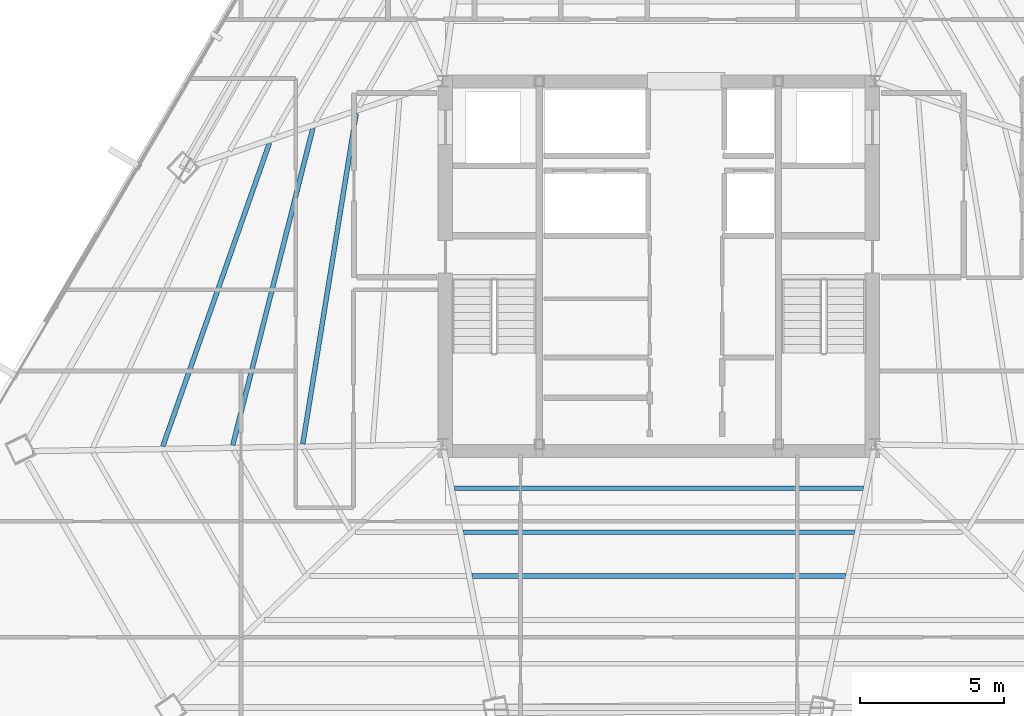
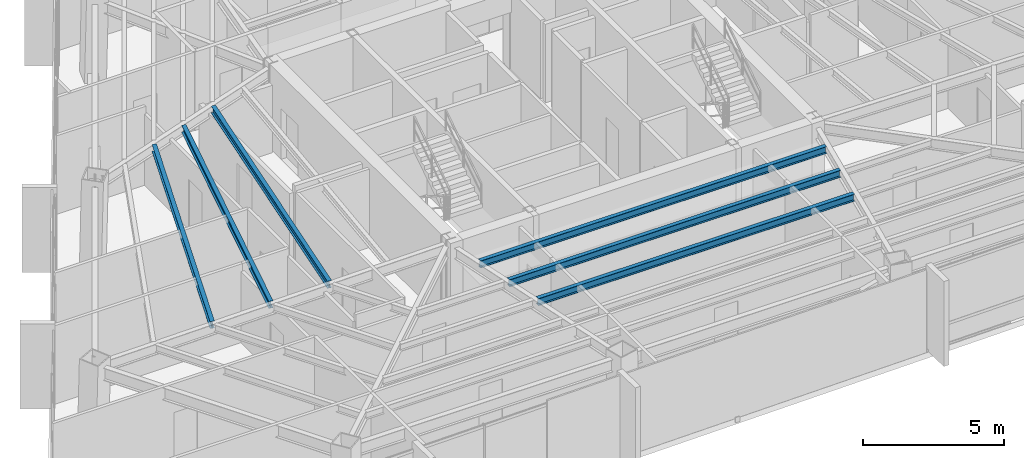
# One storey, part 14 of 44: 6 beams.
"""IFC4 building model written with IfcOpenShell, lengths in metres."""

from ifc_helpers import new_model, si_unit, direction, frame, origin, origin_2d, place, context, subcontext, project, spatial, i_section, extrude, source, transform, mapped, material, material_profile, profile_set, type_object, type_shapes, element, save


model = new_model("IFC4")

# Units and contexts
model_context = context("Model", 3, precision=1e-05, world=origin(), true_north=direction((0.0, 1.0)))
body_context = subcontext(model_context, "Body", "Model", "MODEL_VIEW")
ifc_project = project(units=[si_unit("LENGTHUNIT", "METRE"), si_unit("AREAUNIT", "SQUARE_METRE"), si_unit("VOLUMEUNIT", "CUBIC_METRE"), si_unit("PLANEANGLEUNIT", "RADIAN"), si_unit("MASSUNIT", "GRAM", prefix="KILO")], contexts=[model_context])

# Site, building, storey
site_placement = place(None, origin())
site = spatial("IfcSite", under=ifc_project, at=site_placement, CompositionType="ELEMENT")
building_placement = place(site_placement, origin())
building = spatial("IfcBuilding", under=site, at=building_placement, Name="Caelisora Broadcast Tower", CompositionType="ELEMENT")
storey_placement = place(building_placement, frame((0.0, 0.0, 198.64990234375)))
storey = spatial("IfcBuildingStorey", under=building, at=storey_placement, Name="L52", CompositionType="ELEMENT", Elevation=198.64990234375)

# Beams
ifc_material = material(Name="Steel Grade 350 (AS/NZS 3679.1)", Category="steel")
ifc_material_profile = material_profile(ifc_material, i_section(OverallWidth=0.166015625, OverallDepth=0.30712890625, WebThickness=0.006591796875, FlangeThickness=0.01171875, at=origin_2d()), Name="Steel Grade 350 (AS/NZS 3679.1)")
ifc_profile_set = profile_set([ifc_material_profile], Name="Steel Grade 350 (AS/NZS 3679.1)")
beam_type = type_object("IfcBeamType", Name="SB03", PredefinedType="JOIST", material=ifc_profile_set)
shared_shape_1 = source(origin(), body_context, "Body", "SweptSolid", [
    extrude(i_section(OverallWidth=0.166015625, OverallDepth=0.30712890625, WebThickness=0.006591796875, FlangeThickness=0.01171875, at=origin_2d()), origin(), (0.0, 0.0, 1.0), 11.62158203125),
])
beam_1_placement = place(storey_placement, frame((27.49609375, 28.88525390625, 3.24658203125), z_axis=(-0.159678909006, -0.987169005803, 0.0), x_axis=(0.987169005803, -0.159678909006, 0.0)))
element("IfcBeam", 1, at=beam_1_placement, inside=storey, type_object=beam_type, Name="L52 beam SB03", PredefinedType="JOIST", context=body_context, shape_type="MappedRepresentation", body=[
    mapped(shared_shape_1, transform((0.0, 0.0, 0.0), scale=1.0)),
])
shared_shape_2 = source(origin(), body_context, "Body", "SweptSolid", [
    extrude(i_section(OverallWidth=0.166015625, OverallDepth=0.30712890625, WebThickness=0.006591796875, FlangeThickness=0.01171875, at=origin_2d()), origin(), (0.0, 0.0, 1.0), 11.348876953125),
])
beam_2_placement = place(storey_placement, frame((25.991943359375, 28.3759765625, 3.24658203125), z_axis=(-0.244984749811, -0.969526932251, 0.0), x_axis=(0.969526932251, -0.244984749811, 0.0)))
element("IfcBeam", 2, at=beam_2_placement, inside=storey, type_object=beam_type, Name="L52 beam SB03", PredefinedType="JOIST", context=body_context, shape_type="MappedRepresentation", body=[
    mapped(shared_shape_2, transform((0.0, 0.0, 0.0), scale=1.0)),
])
shared_shape_3 = source(origin(), body_context, "Body", "SweptSolid", [
    extrude(i_section(OverallWidth=0.166015625, OverallDepth=0.30712890625, WebThickness=0.006591796875, FlangeThickness=0.01171875, at=origin_2d()), origin(), (0.0, 0.0, 1.0), 11.164794921875),
])
beam_3_placement = place(storey_placement, frame((24.486083984375, 27.8662109375, 3.24658203125), z_axis=(-0.331615403366, -0.94341466188, 0.0), x_axis=(0.94341466188, -0.331615403366, 0.0)))
element("IfcBeam", 3, at=beam_3_placement, inside=storey, type_object=beam_type, Name="L52 beam SB03", PredefinedType="JOIST", context=body_context, shape_type="MappedRepresentation", body=[
    mapped(shared_shape_3, transform((0.0, 0.0, 0.0), scale=1.0)),
])
shared_shape_4 = source(origin(), body_context, "Body", "SweptSolid", [
    extrude(i_section(OverallWidth=0.166015625, OverallDepth=0.30712890625, WebThickness=0.006591796875, FlangeThickness=0.01171875, at=origin_2d()), origin(), (0.0, 0.0, 1.0), 14.1982421875),
])
beam_4_placement = place(storey_placement, frame((30.90087890625, 15.876708984375, 3.24658203125), z_axis=(1.0, 0.0, 0.0), x_axis=(0.0, 1.0, 0.0)))
element("IfcBeam", 4, at=beam_4_placement, inside=storey, type_object=beam_type, Name="L52 beam SB03", PredefinedType="JOIST", context=body_context, shape_type="MappedRepresentation", body=[
    mapped(shared_shape_4, transform((0.0, 0.0, 0.0), scale=1.0)),
])
shared_shape_5 = source(origin(), body_context, "Body", "SweptSolid", [
    extrude(i_section(OverallWidth=0.166015625, OverallDepth=0.30712890625, WebThickness=0.006591796875, FlangeThickness=0.01171875, at=origin_2d()), origin(), (0.0, 0.0, 1.0), 13.58544921875),
])
beam_5_placement = place(storey_placement, frame((31.207275390625, 14.353515625, 3.24658203125), z_axis=(1.0, 0.0, 0.0), x_axis=(0.0, 1.0, 0.0)))
element("IfcBeam", 5, at=beam_5_placement, inside=storey, type_object=beam_type, Name="L52 beam SB03", PredefinedType="JOIST", context=body_context, shape_type="MappedRepresentation", body=[
    mapped(shared_shape_5, transform((0.0, 0.0, 0.0), scale=1.0)),
])
shared_shape_6 = source(origin(), body_context, "Body", "SweptSolid", [
    extrude(i_section(OverallWidth=0.166015625, OverallDepth=0.30712890625, WebThickness=0.006591796875, FlangeThickness=0.01171875, at=origin_2d()), origin(), (0.0, 0.0, 1.0), 12.972900390625),
])
type_shapes(beam_type, [shared_shape_1, shared_shape_2, shared_shape_3, shared_shape_4, shared_shape_5, shared_shape_6])
beam_6_placement = place(storey_placement, frame((31.513427734375, 12.830078125, 3.24658203125), z_axis=(1.0, 0.0, 0.0), x_axis=(0.0, 1.0, 0.0)))
element("IfcBeam", 6, at=beam_6_placement, inside=storey, type_object=beam_type, Name="L52 beam SB03", PredefinedType="JOIST", context=body_context, shape_type="MappedRepresentation", body=[
    mapped(shared_shape_6, transform((0.0, 0.0, 0.0), scale=1.0)),
])

save(model, "model.ifc")
